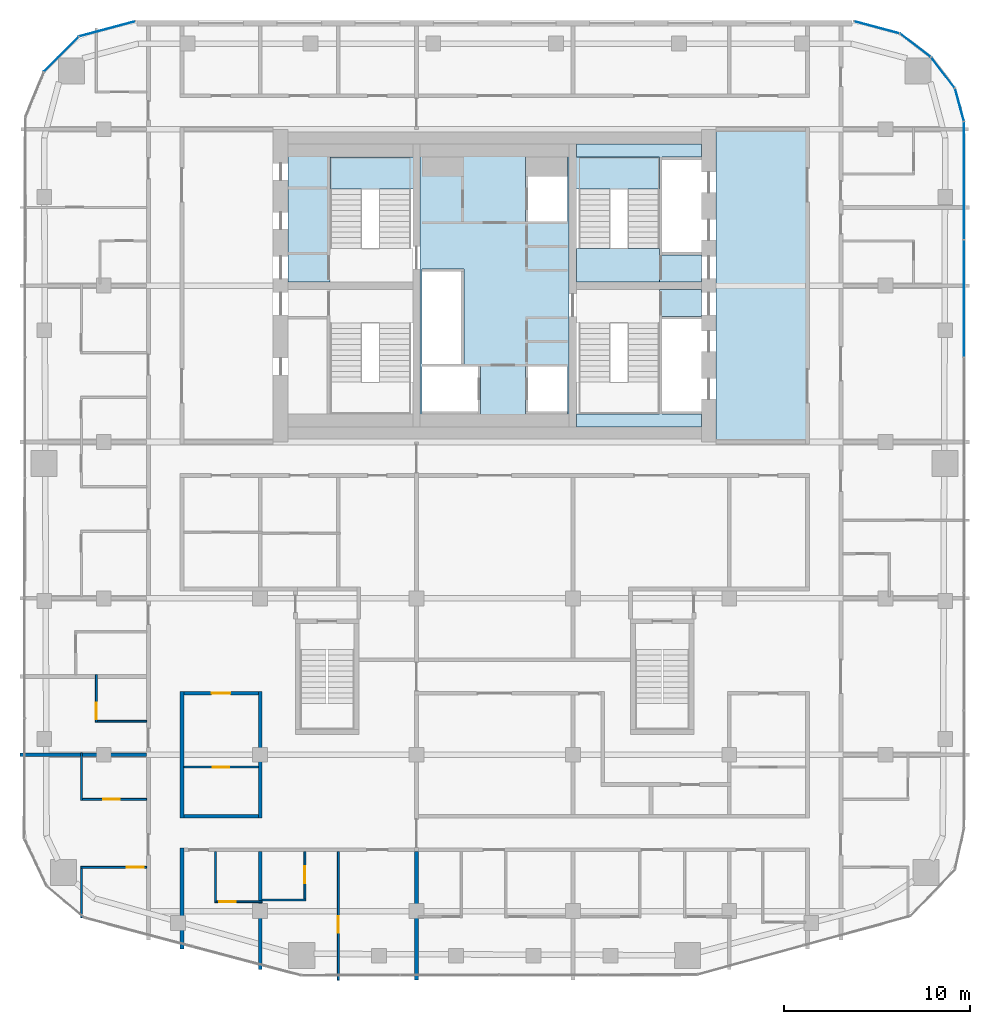
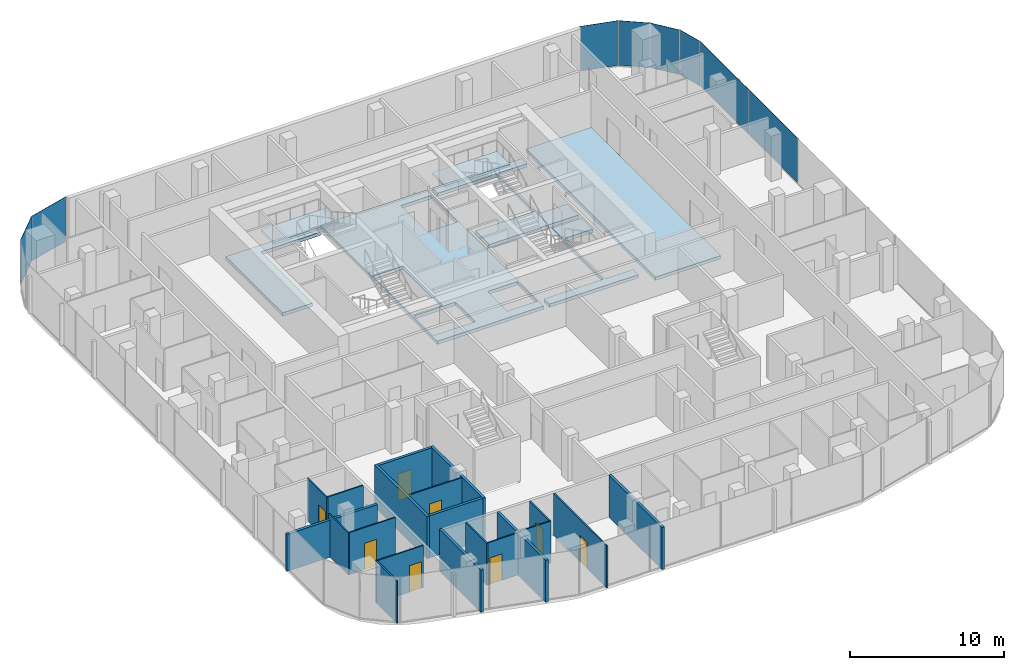
# One storey, part 13 of 21: 20 walls, 8 doors, 8 plates, 8 slabs, 8 openings, 9 elements without a shape of their own.
"""IFC4 building model written with IfcOpenShell, lengths in metres."""

from ifc_helpers import new_model, si_unit, direction, frame, frame_2d, origin, origin_2d, place, context, subcontext, project, spatial, polyline, rectangle, outline, extrude, material, layer, layer_set, type_object, element, fill, aggregate, save


model = new_model("IFC4")

# Units and contexts
model_context = context("Model", 3, precision=1e-05, world=origin(), true_north=direction((0.0, 1.0)))
body_context = subcontext(model_context, "Body", "Model", "MODEL_VIEW")
ifc_project = project(units=[si_unit("LENGTHUNIT", "METRE"), si_unit("AREAUNIT", "SQUARE_METRE"), si_unit("VOLUMEUNIT", "CUBIC_METRE"), si_unit("PLANEANGLEUNIT", "RADIAN"), si_unit("MASSUNIT", "GRAM", prefix="KILO")], contexts=[model_context])

# Site, building, storey
site_placement = place(None, origin())
site = spatial("IfcSite", under=ifc_project, at=site_placement, CompositionType="ELEMENT")
building_placement = place(site_placement, origin())
building = spatial("IfcBuilding", under=site, at=building_placement, Name="Marenta Gate Hotel Tower", CompositionType="ELEMENT")
storey_placement = place(building_placement, frame((0.0, 0.0, 202.10009765625)))
storey = spatial("IfcBuildingStorey", under=building, at=storey_placement, Name="L46", CompositionType="ELEMENT", Elevation=202.10009765625)

# Slabs
ifc_material_1 = material(Name="Concrete C40", Category="concrete")
ifc_layer_1 = layer(ifc_material_1, 0.260009765625)
ifc_layer_set_1 = layer_set([ifc_layer_1], Name="Concrete C40")
slab_type_1 = type_object("IfcSlabType", Name="Core floor slab 260", PredefinedType="FLOOR", material=ifc_layer_set_1)
slab_1_placement = place(storey_placement, frame((0.0, 0.0, -0.260009765625)))
element("IfcSlab", 1, at=slab_1_placement, inside=storey, type_object=slab_type_1, Name="L46-CF-1", PredefinedType="FLOOR", context=body_context, shape_type="SweptSolid", body=[
    extrude(outline(polyline([(11.89990234375, 0.0), (11.89990234375, 16.800048828125), (16.800048828125, 16.800048828125), (16.800048828125, 0.0), (11.89990234375, 0.0)])), origin(), (0.0, 0.0, 1.0), 0.260009765625),
])
slab_2_placement = place(storey_placement, frame((0.0, 0.0, -0.260009765625)))
element("IfcSlab", 2, at=slab_2_placement, inside=storey, type_object=slab_type_1, Name="L46-CF-2", PredefinedType="FLOOR", context=body_context, shape_type="SweptSolid", body=[
    extrude(outline(polyline([(8.85009765625, 1.5), (8.85009765625, 6.39990234375), (8.85009765625, 8.10009765625), (8.85009765625, 8.199951171875), (11.10009765625, 8.199951171875), (11.10009765625, 6.75), (9.0, 6.75), (9.0, 6.60009765625), (9.0, 4.199951171875), (9.0, 4.050048828125), (9.0, 1.64990234375), (9.0, 1.5), (11.10009765625, 1.5), (11.10009765625, 0.800048828125), (4.39990234375, 0.800048828125), (4.39990234375, 1.5), (8.85009765625, 1.5)])), origin(), (0.0, 0.0, 1.0), 0.260009765625),
])
slab_3_placement = place(storey_placement, frame((0.0, 0.0, -0.260009765625)))
element("IfcSlab", 3, at=slab_3_placement, inside=storey, type_object=slab_type_1, Name="L46-CF-3", PredefinedType="FLOOR", context=body_context, shape_type="SweptSolid", body=[
    extrude(outline(polyline([(8.85009765625, 15.300048828125), (4.39990234375, 15.300048828125), (4.39990234375, 16.0), (11.10009765625, 16.0), (11.10009765625, 15.300048828125), (9.0, 15.300048828125), (9.0, 15.14990234375), (9.0, 12.75), (9.0, 12.60009765625), (9.0, 10.199951171875), (9.0, 10.050048828125), (11.10009765625, 10.050048828125), (11.10009765625, 8.60009765625), (8.85009765625, 8.60009765625), (8.85009765625, 8.699951171875), (8.85009765625, 10.39990234375), (8.85009765625, 15.300048828125)])), origin(), (0.0, 0.0, 1.0), 0.260009765625),
])
slab_4_placement = place(storey_placement, frame((0.0, 0.0, -0.260009765625)))
element("IfcSlab", 4, at=slab_4_placement, inside=storey, type_object=slab_type_1, Name="L46-CF-4", PredefinedType="FLOOR", context=body_context, shape_type="SweptSolid", body=[
    extrude(outline(polyline([(4.0, 15.300048828125), (4.0, 10.39990234375), (4.0, 6.39990234375), (4.0, 1.5), (4.0, 0.800048828125), (-4.0, 0.800048828125), (-4.0, 1.5), (-4.0, 6.39990234375), (-4.0, 10.39990234375), (-4.0, 15.300048828125), (-4.0, 16.0), (4.0, 16.0), (4.0, 15.300048828125)]), holes=[polyline([(1.64990234375, 14.25), (1.64990234375, 11.85009765625), (1.800048828125, 11.85009765625), (3.89990234375, 11.85009765625), (3.89990234375, 14.25), (3.89990234375, 15.300048828125), (1.64990234375, 15.300048828125), (1.64990234375, 14.25)]), polyline([(3.89990234375, 1.64990234375), (3.89990234375, 4.050048828125), (1.800048828125, 4.050048828125), (1.64990234375, 4.050048828125), (1.64990234375, 1.64990234375), (1.64990234375, 1.5), (3.89990234375, 1.5), (3.89990234375, 1.64990234375)]), polyline([(-3.89990234375, 1.64990234375), (-3.89990234375, 1.5), (-0.89990234375, 1.5), (-0.75, 1.5), (-0.75, 4.050048828125), (-0.89990234375, 4.050048828125), (-3.89990234375, 4.050048828125), (-3.89990234375, 1.64990234375)]), polyline([(-1.800048828125, 4.199951171875), (-1.64990234375, 4.199951171875), (-1.64990234375, 9.14990234375), (-1.64990234375, 9.300048828125), (-3.89990234375, 9.300048828125), (-3.89990234375, 9.14990234375), (-3.89990234375, 6.75), (-3.89990234375, 6.60009765625), (-3.89990234375, 4.199951171875), (-1.800048828125, 4.199951171875)])]), origin(), (0.0, 0.0, 1.0), 0.260009765625),
])
slab_5_placement = place(storey_placement, frame((0.0, 0.0, -0.260009765625)))
element("IfcSlab", 5, at=slab_5_placement, inside=storey, type_object=slab_type_1, Name="L46-CF-6", PredefinedType="FLOOR", context=body_context, shape_type="SweptSolid", body=[
    extrude(outline(polyline([(-4.39990234375, 15.300048828125), (-8.85009765625, 15.300048828125), (-8.85009765625, 10.39990234375), (-8.85009765625, 8.699951171875), (-8.85009765625, 8.60009765625), (-11.10009765625, 8.60009765625), (-11.10009765625, 16.0), (-4.39990234375, 16.0), (-4.39990234375, 15.300048828125)])), origin(), (0.0, 0.0, 1.0), 0.260009765625),
])

# Stair, slab
ifc_material_2 = material(Name="Concrete C40", Category="concrete")
stair_type = type_object("IfcStairType", Name="Core exit stair 1700 wide", PredefinedType="HALF_TURN_STAIR", material=ifc_material_2)
stair_1_placement = place(storey_placement, origin())
stair_1 = element("IfcStair", 6, at=stair_1_placement, inside=storey, type_object=stair_type, Name="Exit stair 2", PredefinedType="HALF_TURN_STAIR")
ifc_material_3 = material(Name="Concrete C40", Category="concrete")
ifc_layer_2 = layer(ifc_material_3, 0.199951171875)
ifc_layer_set_2 = layer_set([ifc_layer_2], Name="Concrete C40")
slab_type_2 = type_object("IfcSlabType", Name="Core stair landing 200", PredefinedType="LANDING", material=ifc_layer_set_2)
slab_6_placement = place(storey_placement, frame((0.0, 0.0, 1.599853515625)))
slab_6 = element("IfcSlab", 7, at=slab_6_placement, type_object=slab_type_2, Name="SL-200 ST2 landing 1", PredefinedType="LANDING", context=body_context, shape_type="SweptSolid", body=[
    extrude(outline(polyline([(-8.85009765625, 13.590087890625), (-4.0, 13.590087890625), (-4.0, 15.300048828125), (-8.85009765625, 15.300048828125), (-8.85009765625, 13.590087890625)])), origin(), (0.0, 0.0, 1.0), 0.199951171875),
])
aggregate(stair_1, [slab_6])

stair_2_placement = place(storey_placement, origin())
stair_2 = element("IfcStair", 8, at=stair_2_placement, inside=storey, type_object=stair_type, Name="Exit stair 4", PredefinedType="HALF_TURN_STAIR")
slab_7_placement = place(storey_placement, frame((0.0, 0.0, 1.599853515625)))
slab_7 = element("IfcSlab", 9, at=slab_7_placement, type_object=slab_type_2, Name="SL-200 ST4 landing 1", PredefinedType="LANDING", context=body_context, shape_type="SweptSolid", body=[
    extrude(outline(polyline([(4.0, 13.590087890625), (8.85009765625, 13.590087890625), (8.85009765625, 15.300048828125), (4.0, 15.300048828125), (4.0, 13.590087890625)])), origin(), (0.0, 0.0, 1.0), 0.199951171875),
])
aggregate(stair_2, [slab_7])

# Curtain wall, plate
ifc_material_4 = material(Name="Tinted insulated glass in bronze anodised frame", Category="glass")
ifc_layer_3 = layer(ifc_material_4, 0.1201171875)
ifc_layer_set_3 = layer_set([ifc_layer_3], Name="Tinted insulated glass in bronze anodised frame")
curtain_wall_type = type_object("IfcCurtainWallType", Name="Tower unitised curtain wall CW1", PredefinedType="NOTDEFINED", material=ifc_layer_set_3)
curtain_wall_1_placement = place(storey_placement, origin())
curtain_wall_1 = element("IfcCurtainWall", 10, at=curtain_wall_1_placement, inside=storey, type_object=curtain_wall_type, Name="CW1 run G00", PredefinedType="NOTDEFINED")
ifc_material_5 = material(Name="Tinted insulated glass", Category="glass")
ifc_layer_4 = layer(ifc_material_5, 0.028076171875)
ifc_layer_set_4 = layer_set([ifc_layer_4], Name="Tinted insulated glass")
plate_type = type_object("IfcPlateType", Name="Glass panel CW1 28 mm tinted insulated unit", PredefinedType="CURTAIN_PANEL", material=ifc_layer_set_4)
plate_1_placement = place(storey_placement, frame((-20.813720703125, 22.19384765625, 0.059814453125), z_axis=(0.0, 0.0, 1.0), x_axis=(-0.965930559685, -0.258801379183, 0.0)))
plate_1 = element("IfcPlate", 11, at=plate_1_placement, type_object=plate_type, Name="CW1 panel 1.1", PredefinedType="CURTAIN_PANEL", context=body_context, shape_type="SweptSolid", body=[
    extrude(rectangle(XDim=3.104248046875, YDim=0.028076171875, at=origin_2d()), origin(), (0.0, 0.0, 1.0), 3.5400390625),
])
aggregate(curtain_wall_1, [plate_1])

curtain_wall_2_placement = place(storey_placement, origin())
curtain_wall_2 = element("IfcCurtainWall", 12, at=curtain_wall_2_placement, inside=storey, type_object=curtain_wall_type, Name="CW1 run G01", PredefinedType="NOTDEFINED")
plate_2_placement = place(storey_placement, frame((-23.279541015625, 20.825439453125, 0.059814453125), z_axis=(0.0, 0.0, 1.0), x_axis=(-0.707106781187, -0.707106781187, 0.0)))
plate_2 = element("IfcPlate", 13, at=plate_2_placement, type_object=plate_type, Name="CW1 panel 1.1", PredefinedType="CURTAIN_PANEL", context=body_context, shape_type="SweptSolid", body=[
    extrude(rectangle(XDim=2.614013671875, YDim=0.028076171875, at=origin_2d()), origin(), (0.0, 0.0, 1.0), 3.5400390625),
])
aggregate(curtain_wall_2, [plate_2])

# Curtain wall, plates
curtain_wall_3_placement = place(storey_placement, origin())
curtain_wall_3 = element("IfcCurtainWall", 14, at=curtain_wall_3_placement, inside=storey, type_object=curtain_wall_type, Name="CW1 run G11", PredefinedType="NOTDEFINED")
plate_3_placement = place(storey_placement, frame((25.214111328125, 7.7080078125, 0.059814453125), z_axis=(0.0, 0.0, 1.0), x_axis=(0.0, 1.0, 0.0)))
plate_3 = element("IfcPlate", 15, at=plate_3_placement, type_object=plate_type, Name="CW1 panel 5.1", PredefinedType="CURTAIN_PANEL", context=body_context, shape_type="SweptSolid", body=[
    extrude(rectangle(XDim=6.2626953125, YDim=0.028076171875, at=origin_2d()), origin(), (0.0, 0.0, 1.0), 3.5400390625),
])
plate_4_placement = place(storey_placement, frame((25.214111328125, 14.045654296875, 0.059814453125), z_axis=(0.0, 0.0, 1.0), x_axis=(0.0, 1.0, 0.0)))
plate_4 = element("IfcPlate", 16, at=plate_4_placement, type_object=plate_type, Name="CW1 panel 6.1", PredefinedType="CURTAIN_PANEL", context=body_context, shape_type="SweptSolid", body=[
    extrude(rectangle(XDim=6.29248046875, YDim=0.028076171875, at=origin_2d()), origin(), (0.0, 0.0, 1.0), 3.5400390625),
])
aggregate(curtain_wall_3, [plate_3, plate_4])

# Curtain wall, plate
curtain_wall_4_placement = place(storey_placement, origin())
curtain_wall_4 = element("IfcCurtainWall", 17, at=curtain_wall_4_placement, inside=storey, type_object=curtain_wall_type, Name="CW1 run G12", PredefinedType="NOTDEFINED")
plate_5_placement = place(storey_placement, frame((24.96630859375, 18.1162109375, 0.059814453125), z_axis=(0.0, 0.0, 1.0), x_axis=(-0.258824166754, 0.965924453932, 0.0)))
plate_5 = element("IfcPlate", 18, at=plate_5_placement, type_object=plate_type, Name="CW1 panel 1.1", PredefinedType="CURTAIN_PANEL", context=body_context, shape_type="SweptSolid", body=[
    extrude(rectangle(XDim=1.793701171875, YDim=0.028076171875, at=origin_2d()), origin(), (0.0, 0.0, 1.0), 3.5400390625),
])
aggregate(curtain_wall_4, [plate_5])

curtain_wall_5_placement = place(storey_placement, origin())
curtain_wall_5 = element("IfcCurtainWall", 19, at=curtain_wall_5_placement, inside=storey, type_object=curtain_wall_type, Name="CW1 run G13", PredefinedType="NOTDEFINED")
plate_6_placement = place(storey_placement, frame((24.0751953125, 19.84130859375, 0.059814453125), z_axis=(0.0, 0.0, 1.0), x_axis=(-0.608787499222, 0.793333335233, 0.0)))
plate_6 = element("IfcPlate", 20, at=plate_6_placement, type_object=plate_type, Name="CW1 panel 1.1", PredefinedType="CURTAIN_PANEL", context=body_context, shape_type="SweptSolid", body=[
    extrude(rectangle(XDim=2.045166015625, YDim=0.028076171875, at=origin_2d()), origin(), (0.0, 0.0, 1.0), 3.5400390625),
])
aggregate(curtain_wall_5, [plate_6])

curtain_wall_6_placement = place(storey_placement, origin())
curtain_wall_6 = element("IfcCurtainWall", 21, at=curtain_wall_6_placement, inside=storey, type_object=curtain_wall_type, Name="CW1 run G14", PredefinedType="NOTDEFINED")
plate_7_placement = place(storey_placement, frame((22.59375, 21.311767578125, 0.059814453125), z_axis=(0.0, 0.0, 1.0), x_axis=(-0.793333335233, 0.608787499222, 0.0)))
plate_7 = element("IfcPlate", 22, at=plate_7_placement, type_object=plate_type, Name="CW1 panel 1.1", PredefinedType="CURTAIN_PANEL", context=body_context, shape_type="SweptSolid", body=[
    extrude(rectangle(XDim=2.045166015625, YDim=0.028076171875, at=origin_2d()), origin(), (0.0, 0.0, 1.0), 3.5400390625),
])
aggregate(curtain_wall_6, [plate_7])

curtain_wall_7_placement = place(storey_placement, origin())
curtain_wall_7 = element("IfcCurtainWall", 23, at=curtain_wall_7_placement, inside=storey, type_object=curtain_wall_type, Name="CW1 run G15", PredefinedType="NOTDEFINED")
plate_8_placement = place(storey_placement, frame((20.51953125, 22.272705078125, 0.059814453125), z_axis=(0.0, 0.0, 1.0), x_axis=(-0.96592961764, 0.258804895175, 0.0)))
plate_8 = element("IfcPlate", 24, at=plate_8_placement, type_object=plate_type, Name="CW1 panel 1.1", PredefinedType="CURTAIN_PANEL", context=body_context, shape_type="SweptSolid", body=[
    extrude(rectangle(XDim=2.4951171875, YDim=0.028076171875, at=origin_2d()), origin(), (0.0, 0.0, 1.0), 3.5400390625),
])
aggregate(curtain_wall_7, [plate_8])

# Slab
ifc_material_6 = material(Name="Concrete C40", Category="concrete")
ifc_layer_5 = layer(ifc_material_6, 0.300048828125)
ifc_layer_set_5 = layer_set([ifc_layer_5], Name="Concrete C40")
slab_type_3 = type_object("IfcSlabType", Name="Stair floor landing slab 300", PredefinedType="FLOOR", material=ifc_layer_set_5)
slab_8_placement = place(storey_placement, frame((0.0, 0.0, -0.300048828125)))
element("IfcSlab", 25, at=slab_8_placement, inside=storey, type_object=slab_type_3, Name="L46-CL-ST4-1", PredefinedType="FLOOR", context=body_context, shape_type="SweptSolid", body=[
    extrude(outline(polyline([(4.39990234375, 8.60009765625), (4.39990234375, 10.39990234375), (8.85009765625, 10.39990234375), (8.85009765625, 8.699951171875), (8.85009765625, 8.60009765625), (4.39990234375, 8.60009765625)])), origin(), (0.0, 0.0, 1.0), 0.300048828125),
])

# Walls
ifc_material_7 = material(Name="Concrete blockwork", Category="masonry")
ifc_layer_6 = layer(ifc_material_7, 0.199951171875)
ifc_layer_set_6 = layer_set([ifc_layer_6], Name="Concrete blockwork")
wall_type_1 = type_object("IfcWallType", Name="Compartment wall 200 REI 180", PredefinedType="PARTITIONING", material=ifc_layer_set_6)
wall_1_placement = place(storey_placement, frame((-4.199951171875, -28.89990234375, 0.0), z_axis=(0.0, 0.0, 1.0), x_axis=(0.0, 1.0, 0.0)))
element("IfcWall", 26, at=wall_1_placement, inside=storey, type_object=wall_type_1, Name="L46-PTN-W070", PredefinedType="PARTITIONING", context=body_context, shape_type="SweptSolid", body=[
    extrude(rectangle(XDim=6.89990234375, YDim=0.199951171875, at=frame_2d((3.449951171875, 0.0))), origin(), (0.0, 0.0, 1.0), 3.33984375),
])
ifc_material_8 = material(Name="Concrete blockwork", Category="masonry")
ifc_layer_7 = layer(ifc_material_8, 0.199951171875)
ifc_layer_set_7 = layer_set([ifc_layer_7], Name="Concrete blockwork")
wall_type_2 = type_object("IfcWallType", Name="Room corridor wall 200 EI 120", PredefinedType="PARTITIONING", material=ifc_layer_set_7)
wall_2_placement = place(storey_placement, frame((-16.699951171875, -20.10009765625, 0.0), z_axis=(0.0, 0.0, 1.0), x_axis=(1.0, 0.0, 0.0)))
element("IfcWall", 27, at=wall_2_placement, inside=storey, type_object=wall_type_2, Name="L46-PTN-W015", PredefinedType="PARTITIONING", context=body_context, shape_type="SweptSolid", body=[
    extrude(rectangle(XDim=4.0, YDim=0.199951171875, at=frame_2d((2.0, 0.0))), origin(), (0.0, 0.0, 1.0), 3.33984375),
])

# Wall, opening, door
wall_3_placement = place(storey_placement, frame((-16.699951171875, -13.5, 0.0), z_axis=(0.0, 0.0, 1.0), x_axis=(1.0, 0.0, 0.0)))
wall_3 = element("IfcWall", 28, at=wall_3_placement, inside=storey, type_object=wall_type_2, Name="L46-PTN-W031", PredefinedType="PARTITIONING", context=body_context, shape_type="SweptSolid", body=[
    extrude(rectangle(XDim=4.0, YDim=0.199951171875, at=frame_2d((2.0, 0.0))), origin(), (0.0, 0.0, 1.0), 3.33984375),
])
opening_1_placement = place(wall_3_placement, frame((1.5, 0.0, 0.0)))
opening_1 = element("IfcOpeningElement", 29, at=opening_1_placement, cuts=wall_3, Name="Opening G16-09", PredefinedType="OPENING", context=body_context, shape_type="SweptSolid", body=[
    extrude(rectangle(XDim=1.0, YDim=2.10009765625, at=frame_2d((0.5, 1.050048828125))), frame((0.0, 0.10009765625, 0.0), z_axis=(0.0, -1.0, 0.0), x_axis=(1.0, 0.0, 0.0)), (0.0, 0.0, 1.0), 0.199951171875),
])
ifc_material_9 = material(Name="Hollow steel door set", Category="steel")
door_type_1 = type_object("IfcDoorType", Name="Room service door 1000x2100 EI 60", OperationType="NOTDEFINED", PredefinedType="DOOR", material=ifc_material_9)
door_1_placement = place(opening_1_placement, origin())
door_1 = element("IfcDoor", 30, at=door_1_placement, inside=storey, type_object=door_type_1, Name="L46-PD-D009", OperationType="SINGLE_SWING_LEFT", OverallHeight=2.10009765625, OverallWidth=1.0, PredefinedType="DOOR", context=body_context, shape_type="SweptSolid", body=[
    extrude(rectangle(XDim=1.0, YDim=2.10009765625, at=frame_2d((0.5, 1.050048828125))), frame((0.0, 0.02490234375, 0.0), z_axis=(0.0, -1.0, 0.0), x_axis=(1.0, 0.0, 0.0)), (0.0, 0.0, 1.0), 0.050048828125),
])
fill(opening_1, door_1)

# Walls
for number, where, z_axis, x_axis, name in (
    (31, (-12.60009765625, -20.199951171875, 0.0), (0.0, 0.0, 1.0), (0.0, 1.0, 0.0), "L46-PTN-W088"),
    (32, (-16.800048828125, -20.199951171875, 0.0), (0.0, 0.0, 1.0), (0.0, 1.0, 0.0), "L46-PTN-W094"),
):
    element("IfcWall", number, at=place(storey_placement, frame(where, z_axis=z_axis, x_axis=x_axis)), inside=storey, type_object=wall_type_2, Name=name, PredefinedType="PARTITIONING", context=body_context, shape_type="SweptSolid", body=[
        extrude(rectangle(XDim=6.800048828125, YDim=0.199951171875, at=frame_2d((3.39990234375, 0.0))), origin(), (0.0, 0.0, 1.0), 3.33984375),
    ])
ifc_material_10 = material(Name="Gypsum board on steel stud", Category="steel")
ifc_layer_8 = layer(ifc_material_10, 0.199951171875)
ifc_layer_set_8 = layer_set([ifc_layer_8], Name="Gypsum board on steel stud")
wall_type_3 = type_object("IfcWallType", Name="Room corridor wall 200 EI 60", PredefinedType="PARTITIONING", material=ifc_layer_set_8)
wall_4_placement = place(storey_placement, frame((-16.800048828125, -27.22900390625, 0.0), z_axis=(0.0, 0.0, 1.0), x_axis=(0.0, 1.0, 0.0)))
element("IfcWall", 33, at=wall_4_placement, inside=storey, type_object=wall_type_3, Name="L46-PTN-W093", PredefinedType="PARTITIONING", context=body_context, shape_type="SweptSolid", body=[
    extrude(rectangle(XDim=5.428955078125, YDim=0.199951171875, at=frame_2d((2.71435546875, 0.0))), origin(), (0.0, 0.0, 1.0), 3.33984375),
])

# Wall, opening, door
ifc_material_11 = material(Name="Gypsum board on steel stud", Category="steel")
ifc_layer_9 = layer(ifc_material_11, 0.10009765625)
ifc_layer_set_9 = layer_set([ifc_layer_9], Name="Gypsum board on steel stud")
wall_type_4 = type_object("IfcWallType", Name="Room partition 100", PredefinedType="PARTITIONING", material=ifc_layer_set_9)
wall_5_placement = place(storey_placement, frame((-14.949951171875, -24.699951171875, 0.0), z_axis=(0.0, 0.0, 1.0), x_axis=(1.0, 0.0, 0.0)))
wall_5 = element("IfcWall", 34, at=wall_5_placement, inside=storey, type_object=wall_type_4, Name="L46-PTN-W005", PredefinedType="PARTITIONING", context=body_context, shape_type="SweptSolid", body=[
    extrude(rectangle(XDim=2.449951171875, YDim=0.10009765625, at=frame_2d((1.22509765625, 0.0))), origin(), (0.0, 0.0, 1.0), 3.33984375),
])
opening_2_placement = place(wall_5_placement, frame((0.14990234375, 0.0, 0.0)))
opening_2 = element("IfcOpeningElement", 35, at=opening_2_placement, cuts=wall_5, Name="Opening G16-34", PredefinedType="OPENING", context=body_context, shape_type="SweptSolid", body=[
    extrude(rectangle(XDim=0.89990234375, YDim=2.10009765625, at=frame_2d((0.449951171875, 1.050048828125))), frame((0.0, 0.050048828125, 0.0), z_axis=(0.0, -1.0, 0.0), x_axis=(1.0, 0.0, 0.0)), (0.0, 0.0, 1.0), 0.10009765625),
])
ifc_material_12 = material(Name="Timber door leaf", Category="wood")
door_type_2 = type_object("IfcDoorType", Name="Guest bathroom door 900x2100", OperationType="NOTDEFINED", PredefinedType="DOOR", material=ifc_material_12)
door_2_placement = place(opening_2_placement, origin())
door_2 = element("IfcDoor", 36, at=door_2_placement, inside=storey, type_object=door_type_2, Name="L46-PD-D034", OperationType="SINGLE_SWING_LEFT", OverallHeight=2.10009765625, OverallWidth=0.89990234375, PredefinedType="DOOR", context=body_context, shape_type="SweptSolid", body=[
    extrude(rectangle(XDim=0.89990234375, YDim=2.10009765625, at=frame_2d((0.449951171875, 1.050048828125))), frame((0.0, 0.02490234375, 0.0), z_axis=(0.0, -1.0, 0.0), x_axis=(1.0, 0.0, 0.0)), (0.0, 0.0, 1.0), 0.050048828125),
])
fill(opening_2, door_2)

# Wall
wall_6_placement = place(storey_placement, frame((-12.5, -24.60009765625, 0.0), z_axis=(0.0, 0.0, 1.0), x_axis=(1.0, 0.0, 0.0)))
element("IfcWall", 37, at=wall_6_placement, inside=storey, type_object=wall_type_4, Name="L46-PTN-W006", PredefinedType="PARTITIONING", context=body_context, shape_type="SweptSolid", body=[
    extrude(rectangle(XDim=2.35009765625, YDim=0.10009765625, at=frame_2d((1.175048828125, 0.0))), origin(), (0.0, 0.0, 1.0), 3.33984375),
])

# Wall, opening, door
wall_7_placement = place(storey_placement, frame((-22.25, -22.85107421875, 0.0), z_axis=(0.0, 0.0, 1.0), x_axis=(1.0, 0.0, 0.0)))
wall_7 = element("IfcWall", 38, at=wall_7_placement, inside=storey, type_object=wall_type_4, Name="L46-PTN-W007", PredefinedType="PARTITIONING", context=body_context, shape_type="SweptSolid", body=[
    extrude(rectangle(XDim=3.550048828125, YDim=0.10009765625, at=frame_2d((1.77490234375, 0.0))), origin(), (0.0, 0.0, 1.0), 3.33984375),
])
opening_3_placement = place(wall_7_placement, frame((2.489990234375, 0.0, 0.0)))
opening_3 = element("IfcOpeningElement", 39, at=opening_3_placement, cuts=wall_7, Name="Opening G16-47", PredefinedType="OPENING", context=body_context, shape_type="SweptSolid", body=[
    extrude(rectangle(XDim=0.89990234375, YDim=2.10009765625, at=frame_2d((0.449951171875, 1.050048828125))), frame((0.0, 0.050048828125, 0.0), z_axis=(0.0, -1.0, 0.0), x_axis=(1.0, 0.0, 0.0)), (0.0, 0.0, 1.0), 0.10009765625),
])
door_3_placement = place(opening_3_placement, origin())
door_3 = element("IfcDoor", 40, at=door_3_placement, inside=storey, type_object=door_type_2, Name="L46-PD-D047", OperationType="SINGLE_SWING_LEFT", OverallHeight=2.10009765625, OverallWidth=0.89990234375, PredefinedType="DOOR", context=body_context, shape_type="SweptSolid", body=[
    extrude(rectangle(XDim=0.89990234375, YDim=2.10009765625, at=frame_2d((0.449951171875, 1.050048828125))), frame((0.0, 0.02490234375, 0.0), z_axis=(0.0, -1.0, 0.0), x_axis=(1.0, 0.0, 0.0)), (0.0, 0.0, 1.0), 0.050048828125),
])
fill(opening_3, door_3)

wall_8_placement = place(storey_placement, frame((-22.14990234375, -19.199951171875, 0.0), z_axis=(0.0, 0.0, 1.0), x_axis=(1.0, 0.0, 0.0)))
wall_8 = element("IfcWall", 41, at=wall_8_placement, inside=storey, type_object=wall_type_4, Name="L46-PTN-W017", PredefinedType="PARTITIONING", context=body_context, shape_type="SweptSolid", body=[
    extrude(rectangle(XDim=3.449951171875, YDim=0.10009765625, at=frame_2d((1.72509765625, 0.0))), origin(), (0.0, 0.0, 1.0), 3.33984375),
])
opening_4_placement = place(wall_8_placement, frame((1.1201171875, 0.0, 0.0)))
opening_4 = element("IfcOpeningElement", 42, at=opening_4_placement, cuts=wall_8, Name="Opening G16-48", PredefinedType="OPENING", context=body_context, shape_type="SweptSolid", body=[
    extrude(rectangle(XDim=0.89990234375, YDim=2.10009765625, at=frame_2d((0.449951171875, 1.050048828125))), frame((0.0, 0.050048828125, 0.0), z_axis=(0.0, -1.0, 0.0), x_axis=(1.0, 0.0, 0.0)), (0.0, 0.0, 1.0), 0.10009765625),
])
ifc_material_13 = material(Name="Timber door leaf", Category="wood")
door_type_3 = type_object("IfcDoorType", Name="Room inner door 900x2100", OperationType="NOTDEFINED", PredefinedType="DOOR", material=ifc_material_13)
door_4_placement = place(opening_4_placement, origin())
door_4 = element("IfcDoor", 43, at=door_4_placement, inside=storey, type_object=door_type_3, Name="L46-PD-D048", OperationType="SINGLE_SWING_LEFT", OverallHeight=2.10009765625, OverallWidth=0.89990234375, PredefinedType="DOOR", context=body_context, shape_type="SweptSolid", body=[
    extrude(rectangle(XDim=0.89990234375, YDim=2.10009765625, at=frame_2d((0.449951171875, 1.050048828125))), frame((0.0, 0.02490234375, 0.0), z_axis=(0.0, -1.0, 0.0), x_axis=(1.0, 0.0, 0.0)), (0.0, 0.0, 1.0), 0.050048828125),
])
fill(opening_4, door_4)

wall_9_placement = place(storey_placement, frame((-16.699951171875, -17.4599609375, 0.0), z_axis=(0.0, 0.0, 1.0), x_axis=(1.0, 0.0, 0.0)))
wall_9 = element("IfcWall", 44, at=wall_9_placement, inside=storey, type_object=wall_type_4, Name="L46-PTN-W021", PredefinedType="PARTITIONING", context=body_context, shape_type="SweptSolid", body=[
    extrude(rectangle(XDim=4.0, YDim=0.10009765625, at=frame_2d((2.0, 0.0))), origin(), (0.0, 0.0, 1.0), 3.33984375),
])
opening_5_placement = place(wall_9_placement, frame((1.550048828125, 0.0, 0.0)))
opening_5 = element("IfcOpeningElement", 45, at=opening_5_placement, cuts=wall_9, Name="Opening G16-10", PredefinedType="OPENING", context=body_context, shape_type="SweptSolid", body=[
    extrude(rectangle(XDim=0.89990234375, YDim=2.10009765625, at=frame_2d((0.449951171875, 1.050048828125))), frame((0.0, 0.050048828125, 0.0), z_axis=(0.0, -1.0, 0.0), x_axis=(1.0, 0.0, 0.0)), (0.0, 0.0, 1.0), 0.10009765625),
])
door_5_placement = place(opening_5_placement, origin())
door_5 = element("IfcDoor", 46, at=door_5_placement, inside=storey, type_object=door_type_3, Name="L46-PD-D010", OperationType="SINGLE_SWING_LEFT", OverallHeight=2.10009765625, OverallWidth=0.89990234375, PredefinedType="DOOR", context=body_context, shape_type="SweptSolid", body=[
    extrude(rectangle(XDim=0.89990234375, YDim=2.10009765625, at=frame_2d((0.449951171875, 1.050048828125))), frame((0.0, 0.02490234375, 0.0), z_axis=(0.0, -1.0, 0.0), x_axis=(1.0, 0.0, 0.0)), (0.0, 0.0, 1.0), 0.050048828125),
])
fill(opening_5, door_5)

# Wall
wall_10_placement = place(storey_placement, frame((-21.35009765625, -15.0, 0.0), z_axis=(0.0, 0.0, 1.0), x_axis=(1.0, 0.0, 0.0)))
element("IfcWall", 47, at=wall_10_placement, inside=storey, type_object=wall_type_4, Name="L46-PTN-W029", PredefinedType="PARTITIONING", context=body_context, shape_type="SweptSolid", body=[
    extrude(rectangle(XDim=2.650146484375, YDim=0.10009765625, at=frame_2d((1.3251953125, 0.0))), origin(), (0.0, 0.0, 1.0), 3.33984375),
])

# Wall, opening, door
wall_11_placement = place(storey_placement, frame((-8.39990234375, -28.89990234375, 0.0), z_axis=(0.0, 0.0, 1.0), x_axis=(0.0, 1.0, 0.0)))
wall_11 = element("IfcWall", 48, at=wall_11_placement, inside=storey, type_object=wall_type_4, Name="L46-PTN-W076", PredefinedType="PARTITIONING", context=body_context, shape_type="SweptSolid", body=[
    extrude(rectangle(XDim=6.89990234375, YDim=0.10009765625, at=frame_2d((3.449951171875, 0.0))), origin(), (0.0, 0.0, 1.0), 3.33984375),
])
opening_6_placement = place(wall_11_placement, frame((2.530029296875, 0.0, 0.0)))
opening_6 = element("IfcOpeningElement", 49, at=opening_6_placement, cuts=wall_11, Name="Opening G16-36", PredefinedType="OPENING", context=body_context, shape_type="SweptSolid", body=[
    extrude(rectangle(XDim=0.89990234375, YDim=2.10009765625, at=frame_2d((0.449951171875, 1.050048828125))), frame((0.0, 0.050048828125, 0.0), z_axis=(0.0, -1.0, 0.0), x_axis=(1.0, 0.0, 0.0)), (0.0, 0.0, 1.0), 0.10009765625),
])
door_6_placement = place(opening_6_placement, origin())
door_6 = element("IfcDoor", 50, at=door_6_placement, inside=storey, type_object=door_type_3, Name="L46-PD-D036", OperationType="SINGLE_SWING_LEFT", OverallHeight=2.10009765625, OverallWidth=0.89990234375, PredefinedType="DOOR", context=body_context, shape_type="SweptSolid", body=[
    extrude(rectangle(XDim=0.89990234375, YDim=2.10009765625, at=frame_2d((0.449951171875, 1.050048828125))), frame((0.0, 0.02490234375, 0.0), z_axis=(0.0, -1.0, 0.0), x_axis=(1.0, 0.0, 0.0)), (0.0, 0.0, 1.0), 0.050048828125),
])
fill(opening_6, door_6)

wall_12_placement = place(storey_placement, frame((-10.199951171875, -24.550048828125, 0.0), z_axis=(0.0, 0.0, 1.0), x_axis=(0.0, 1.0, 0.0)))
wall_12 = element("IfcWall", 51, at=wall_12_placement, inside=storey, type_object=wall_type_4, Name="L46-PTN-W081", PredefinedType="PARTITIONING", context=body_context, shape_type="SweptSolid", body=[
    extrude(rectangle(XDim=2.550048828125, YDim=0.10009765625, at=frame_2d((1.27490234375, 0.0))), origin(), (0.0, 0.0, 1.0), 3.33984375),
])
opening_7_placement = place(wall_12_placement, frame((0.85009765625, 0.0, 0.0)))
opening_7 = element("IfcOpeningElement", 52, at=opening_7_placement, cuts=wall_12, Name="Opening G16-37", PredefinedType="OPENING", context=body_context, shape_type="SweptSolid", body=[
    extrude(rectangle(XDim=0.89990234375, YDim=2.10009765625, at=frame_2d((0.449951171875, 1.050048828125))), frame((0.0, 0.050048828125, 0.0), z_axis=(0.0, -1.0, 0.0), x_axis=(1.0, 0.0, 0.0)), (0.0, 0.0, 1.0), 0.10009765625),
])
door_7_placement = place(opening_7_placement, origin())
door_7 = element("IfcDoor", 53, at=door_7_placement, inside=storey, type_object=door_type_2, Name="L46-PD-D037", OperationType="SINGLE_SWING_RIGHT", OverallHeight=2.10009765625, OverallWidth=0.89990234375, PredefinedType="DOOR", context=body_context, shape_type="SweptSolid", body=[
    extrude(rectangle(XDim=0.89990234375, YDim=2.10009765625, at=frame_2d((0.449951171875, 1.050048828125))), frame((0.0, 0.02490234375, 0.0), z_axis=(0.0, -1.0, 0.0), x_axis=(1.0, 0.0, 0.0)), (0.0, 0.0, 1.0), 0.050048828125),
])
fill(opening_7, door_7)

# Wall
wall_13_placement = place(storey_placement, frame((-15.0, -24.75, 0.0), z_axis=(0.0, 0.0, 1.0), x_axis=(0.0, 1.0, 0.0)))
element("IfcWall", 54, at=wall_13_placement, inside=storey, type_object=wall_type_4, Name="L46-PTN-W092", PredefinedType="PARTITIONING", context=body_context, shape_type="SweptSolid", body=[
    extrude(rectangle(XDim=2.75, YDim=0.10009765625, at=frame_2d((1.375, 0.0))), origin(), (0.0, 0.0, 1.0), 3.33984375),
])

# Wall, opening, door
wall_14_placement = place(storey_placement, frame((-21.39990234375, -15.050048828125, 0.0), z_axis=(0.0, 0.0, 1.0), x_axis=(0.0, 1.0, 0.0)))
wall_14 = element("IfcWall", 55, at=wall_14_placement, inside=storey, type_object=wall_type_4, Name="L46-PTN-W103", PredefinedType="PARTITIONING", context=body_context, shape_type="SweptSolid", body=[
    extrude(rectangle(XDim=2.550048828125, YDim=0.10009765625, at=frame_2d((1.27490234375, 0.0))), origin(), (0.0, 0.0, 1.0), 3.33984375),
])
opening_8_placement = place(wall_14_placement, frame((0.14990234375, 0.0, 0.0)))
opening_8 = element("IfcOpeningElement", 56, at=opening_8_placement, cuts=wall_14, Name="Opening G16-50", PredefinedType="OPENING", context=body_context, shape_type="SweptSolid", body=[
    extrude(rectangle(XDim=0.89990234375, YDim=2.10009765625, at=frame_2d((0.449951171875, 1.050048828125))), frame((0.0, 0.050048828125, 0.0), z_axis=(0.0, -1.0, 0.0), x_axis=(1.0, 0.0, 0.0)), (0.0, 0.0, 1.0), 0.10009765625),
])
door_8_placement = place(opening_8_placement, origin())
door_8 = element("IfcDoor", 57, at=door_8_placement, inside=storey, type_object=door_type_2, Name="L46-PD-D050", OperationType="SINGLE_SWING_RIGHT", OverallHeight=2.10009765625, OverallWidth=0.89990234375, PredefinedType="DOOR", context=body_context, shape_type="SweptSolid", body=[
    extrude(rectangle(XDim=0.89990234375, YDim=2.10009765625, at=frame_2d((0.449951171875, 1.050048828125))), frame((0.0, 0.02490234375, 0.0), z_axis=(0.0, -1.0, 0.0), x_axis=(1.0, 0.0, 0.0)), (0.0, 0.0, 1.0), 0.050048828125),
])
fill(opening_8, door_8)

# Walls
wall_15_placement = place(storey_placement, frame((-22.199951171875, -25.552001953125, 0.0), z_axis=(0.0, 0.0, 1.0), x_axis=(0.0, 1.0, 0.0)))
element("IfcWall", 58, at=wall_15_placement, inside=storey, type_object=wall_type_4, Name="L46-PTN-W105", PredefinedType="PARTITIONING", context=body_context, shape_type="SweptSolid", body=[
    extrude(rectangle(XDim=2.651123046875, YDim=0.10009765625, at=frame_2d((1.32568359375, 0.0))), origin(), (0.0, 0.0, 1.0), 3.33984375),
])
wall_16_placement = place(storey_placement, frame((-22.199951171875, -19.25, 0.0), z_axis=(0.0, 0.0, 1.0), x_axis=(0.0, 1.0, 0.0)))
element("IfcWall", 59, at=wall_16_placement, inside=storey, type_object=wall_type_4, Name="L46-PTN-W106", PredefinedType="PARTITIONING", context=body_context, shape_type="SweptSolid", body=[
    extrude(rectangle(XDim=2.550048828125, YDim=0.10009765625, at=frame_2d((1.27490234375, 0.0))), origin(), (0.0, 0.0, 1.0), 3.33984375),
])
ifc_material_14 = material(Name="Gypsum board on steel stud", Category="steel")
ifc_layer_10 = layer(ifc_material_14, 0.199951171875)
ifc_layer_set_10 = layer_set([ifc_layer_10], Name="Gypsum board on steel stud")
wall_type_5 = type_object("IfcWallType", Name="Room party wall 200 EI 60", PredefinedType="PARTITIONING", material=ifc_layer_set_10)
wall_17_placement = place(storey_placement, frame((-25.5, -16.800048828125, 0.0), z_axis=(0.0, 0.0, 1.0), x_axis=(1.0, 0.0, 0.0)))
element("IfcWall", 60, at=wall_17_placement, inside=storey, type_object=wall_type_5, Name="L46-PTN-W027", PredefinedType="PARTITIONING", context=body_context, shape_type="SweptSolid", body=[
    extrude(rectangle(XDim=6.800048828125, YDim=0.199951171875, at=frame_2d((3.39990234375, 0.0))), origin(), (0.0, 0.0, 1.0), 2.93994140625),
])
wall_18_placement = place(storey_placement, frame((-12.60009765625, -28.343017578125, 0.0), z_axis=(0.0, 0.0, 1.0), x_axis=(0.0, 1.0, 0.0)))
element("IfcWall", 61, at=wall_18_placement, inside=storey, type_object=wall_type_5, Name="L46-PTN-W085", PredefinedType="PARTITIONING", context=body_context, shape_type="SweptSolid", body=[
    extrude(rectangle(XDim=6.343017578125, YDim=0.199951171875, at=frame_2d((3.17138671875, 0.0))), origin(), (0.0, 0.0, 1.0), 3.33984375),
])

save(model, "model.ifc")
